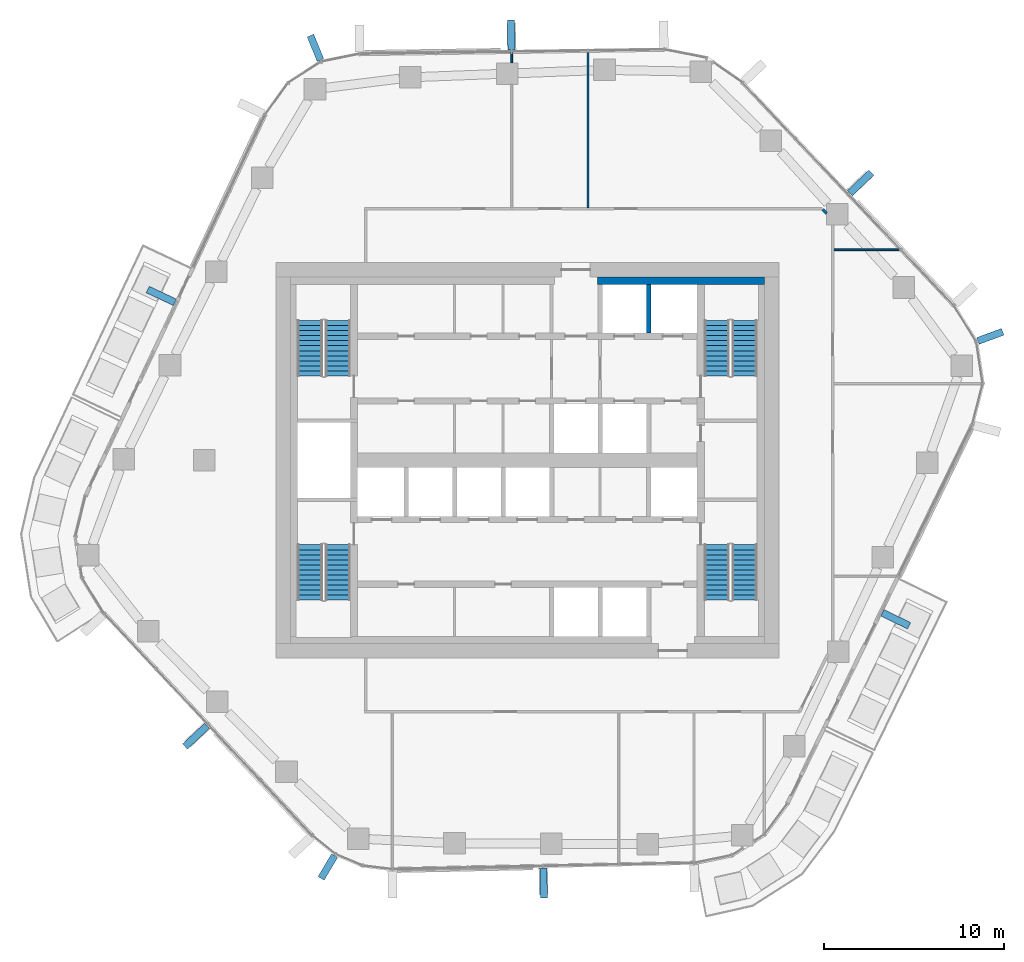
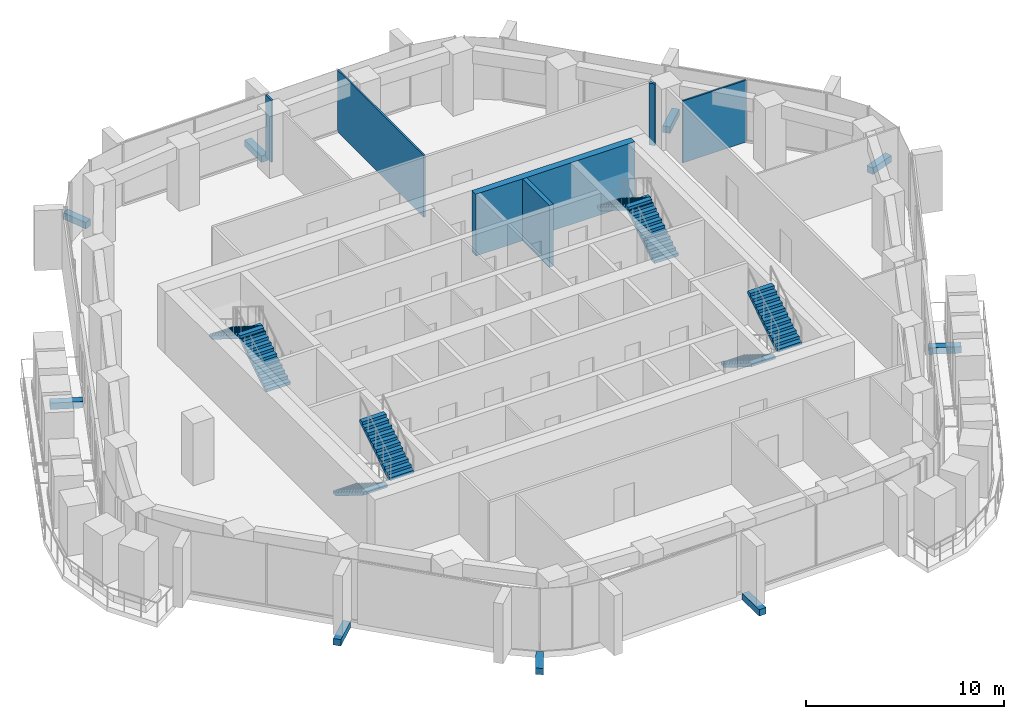
# One storey, part 14 of 18: 9 discrete accessories, 8 stair flights, 6 walls, 4 elements without a shape of their own.
"""IFC4 building model written with IfcOpenShell, lengths in metres."""

import ifcopenshell
import ifcopenshell.guid

model = None  # the IFC model being written
_history = None  # IfcOwnerHistory: only IFC2X3 demands one
_inside = {}  # id of a spatial element -> (the spatial element, [elements in it])
_under = {}  # id of a project, library or spatial element -> (it, [spatial elements below it])
_declared = {}  # id of a project -> (the project, [libraries it declares])
_typed = {}  # id of a type object -> (the type object, [elements of that type])
_made_of = {}  # id of a material, layer set ... -> (it, [elements and type objects made of it])


def new_model(schema):
    """Start an empty IFC model of exactly this schema.

    Asked for "IFC4X3", IfcOpenShell would pick the latest addendum, in which some entities
    have other attributes; the version numbers below select the first issue.
    IFC2X3 requires an IfcOwnerHistory on every rooted entity: one is made here for all.
    """
    global model, _history
    if schema == "IFC4X3":
        model = ifcopenshell.file(schema_version=(4, 3, 0, 0))
    else:
        model = ifcopenshell.file(schema=schema)
    _inside.clear()
    _under.clear()
    _declared.clear()
    _typed.clear()
    _made_of.clear()
    _history = None
    if model.schema == "IFC2X3":
        org = make("IfcOrganization", Name="unknown")
        user = make(
            "IfcPersonAndOrganization",
            ThePerson=make("IfcPerson", FamilyName="unknown"),
            TheOrganization=org,
        )
        app = make(
            "IfcApplication",
            ApplicationDeveloper=org,
            Version="unknown",
            ApplicationFullName="unknown",
            ApplicationIdentifier="unknown",
        )
        _history = make(
            "IfcOwnerHistory",
            OwningUser=user,
            OwningApplication=app,
            ChangeAction="ADDED",
            CreationDate=0,
        )
    return model


def make(cls, **values):
    """One entity of the class cls with the attributes given. An attribute that is None is left unset."""
    return model.create_entity(
        cls, **{name: value for name, value in values.items() if value is not None}
    )


def rooted(cls, **values):
    """An entity with a GlobalId (a new one), such as an element, a storey or a relation."""
    return make(cls, GlobalId=ifcopenshell.guid.new(), OwnerHistory=_history, **values)


def si_unit(unit_type, name, prefix=None):
    """IfcSIUnit, for example si_unit("LENGTHUNIT", "METRE", prefix="MILLI")."""
    return make("IfcSIUnit", UnitType=unit_type, Prefix=prefix, Name=name)


def assignment(units):
    """IfcUnitAssignment: the units of a project."""
    return None if units is None else make("IfcUnitAssignment", Units=units)


def point(xyz):
    """IfcCartesianPoint."""
    return None if xyz is None else make("IfcCartesianPoint", Coordinates=xyz)


def direction(xyz):
    """IfcDirection."""
    return None if xyz is None else make("IfcDirection", DirectionRatios=xyz)


def frame(location, z_axis=None, x_axis=None):
    """IfcAxis2Placement3D, a coordinate frame: its origin and axes. An axis left out is left unset."""
    return make(
        "IfcAxis2Placement3D",
        Location=point(location),
        Axis=direction(z_axis),
        RefDirection=direction(x_axis),
    )


def frame_2d(location, x_axis=None):
    """IfcAxis2Placement2D, a coordinate frame in the plane: its origin and x axis."""
    return make(
        "IfcAxis2Placement2D", Location=point(location), RefDirection=direction(x_axis)
    )


def origin():
    """The frame at (0, 0, 0) with its axes left unset."""
    return frame((0.0, 0.0, 0.0))


def origin_2d():
    """The frame at (0, 0) in the plane with its x axis left unset."""
    return frame_2d((0.0, 0.0))


def place(relative_to, where):
    """IfcLocalPlacement: puts the frame where relative to a parent placement (None: the world)."""
    return make(
        "IfcLocalPlacement", PlacementRelTo=relative_to, RelativePlacement=where
    )


def context(
    kind, dimensions, precision=None, world=None, true_north=None, identifier=None
):
    """IfcGeometricRepresentationContext, for example the 3D "Model" context."""
    return make(
        "IfcGeometricRepresentationContext",
        ContextIdentifier=identifier,
        ContextType=kind,
        CoordinateSpaceDimension=dimensions,
        Precision=precision,
        WorldCoordinateSystem=world,
        TrueNorth=true_north,
    )


def subcontext(parent, identifier, kind, view, scale=None):
    """IfcGeometricRepresentationSubContext, for example "Body" below "Model"."""
    return make(
        "IfcGeometricRepresentationSubContext",
        ContextIdentifier=identifier,
        ContextType=kind,
        ParentContext=parent,
        TargetScale=scale,
        TargetView=view,
    )


def project(units=None, contexts=None):
    """IfcProject with its units and contexts."""
    return rooted(
        "IfcProject",
        Name="project",
        RepresentationContexts=contexts,
        UnitsInContext=assignment(units),
    )


def spatial(cls, under=None, at=None, **own):
    """A site, building, storey or space (cls), placed at a placement, below another one or the project."""
    s = rooted(cls, ObjectPlacement=at, **own)
    if under is not None:
        _under.setdefault(under.id(), (under, []))[1].append(s)
    return s


def polyline(points):
    """IfcPolyline through the points."""
    return make("IfcPolyline", Points=[point(p) for p in points])


def profile(cls, at=None, kind="AREA", **sizes):
    """A parametric profile (cls). Its sizes go by their IFC names, for example OverallWidth=200.0."""
    return make(cls, ProfileType=kind, Position=at, **sizes)


def rectangle(**sizes):
    """IfcRectangleProfileDef."""
    return profile("IfcRectangleProfileDef", **sizes)


def outline(outer, holes=None, kind="AREA"):
    """IfcArbitraryClosedProfileDef: a profile drawn as a closed curve; with holes, ...WithVoids."""
    if holes is None:
        return make("IfcArbitraryClosedProfileDef", ProfileType=kind, OuterCurve=outer)
    return make(
        "IfcArbitraryProfileDefWithVoids",
        ProfileType=kind,
        OuterCurve=outer,
        InnerCurves=holes,
    )


def extrude(swept, where, along, depth):
    """IfcExtrudedAreaSolid: the profile swept, set in the frame where, extruded along a direction by depth."""
    return make(
        "IfcExtrudedAreaSolid",
        SweptArea=swept,
        Position=where,
        ExtrudedDirection=direction(along),
        Depth=depth,
    )


def shape(context_of_items, identifier, shape_type, items):
    """IfcShapeRepresentation: the items that make up one representation, for example the "Body"."""
    return make(
        "IfcShapeRepresentation",
        ContextOfItems=context_of_items,
        RepresentationIdentifier=identifier,
        RepresentationType=shape_type,
        Items=items,
    )


def material(Name=None, Category=None):
    """IfcMaterial."""
    return make("IfcMaterial", Name=Name, Category=Category)


def layer(
    of_material, thickness, ventilated=None, Name=None, Category=None, Priority=None
):
    """IfcMaterialLayer: one layer of a wall or slab, of a material (None: an air gap)."""
    return make(
        "IfcMaterialLayer",
        Material=of_material,
        LayerThickness=thickness,
        IsVentilated=ventilated,
        Name=Name,
        Category=Category,
        Priority=Priority,
    )


def layer_set(layers, Name=None):
    """IfcMaterialLayerSet."""
    return make("IfcMaterialLayerSet", MaterialLayers=layers, LayerSetName=Name)


def made_of(thing, what):
    """Note that an element or type object is made of a material, layer set ...; save() writes the relation."""
    if what is not None:
        _made_of.setdefault(what.id(), (what, []))[1].append(thing)
    return thing


def type_object(cls, material=None, **own):
    """A type object (cls), such as IfcWallType, which elements share."""
    return made_of(rooted(cls, **own), material)


def element(
    cls,
    number,
    at=None,
    inside=None,
    cuts=None,
    type_object=None,
    material=None,
    context=None,
    identifier="Body",
    shape_type=None,
    held_by="IfcProductDefinitionShape",
    body=None,
    shapes=None,
    **own,
):
    """One element of the class cls, such as IfcWall. Its Tag is "e" and its number.

    at: its placement. inside: the storey or other place that contains it. cuts: it is an
    opening in that element (IfcRelVoidsElement). A single representation is given by context,
    identifier, shape_type and body (its items); several are given by shapes. held_by: the class
    of the entity that holds the representations. save() writes the other relations.
    """
    e = rooted(cls, Tag="e%d" % number, ObjectPlacement=at, **own)
    if body is not None:
        shapes = [shape(context, identifier, shape_type, body)]
    if shapes is not None:
        e.Representation = make(held_by, Representations=shapes)
    if inside is not None:
        _inside.setdefault(inside.id(), (inside, []))[1].append(e)
    if cuts is not None:
        rooted(
            "IfcRelVoidsElement", RelatingBuildingElement=cuts, RelatedOpeningElement=e
        )
    if type_object is not None:
        _typed.setdefault(type_object.id(), (type_object, []))[1].append(e)
    return made_of(e, material)


def aggregate(whole, parts):
    """IfcRelAggregates: a whole, such as a stair, and the parts it consists of."""
    return rooted("IfcRelAggregates", RelatingObject=whole, RelatedObjects=parts)


def save(model, path):
    """Write the relations noted so far, then the file.

    IfcRelAggregates (storeys below a building ...), IfcRelContainedInSpatialStructure (elements
    in a storey), IfcRelDefinesByType, IfcRelAssociatesMaterial and IfcRelDeclares: one each for
    every whole, place, type object, material and project.
    """
    for whole, parts in _under.values():
        aggregate(whole, parts)
    for where, things in _inside.values():
        rooted(
            "IfcRelContainedInSpatialStructure",
            RelatedElements=things,
            RelatingStructure=where,
        )
    for kind, things in _typed.values():
        rooted("IfcRelDefinesByType", RelatedObjects=things, RelatingType=kind)
    for what, things in _made_of.values():
        rooted("IfcRelAssociatesMaterial", RelatedObjects=things, RelatingMaterial=what)
    for by, libraries in _declared.values():
        rooted("IfcRelDeclares", RelatingContext=by, RelatedDefinitions=libraries)
    model.write(path)


model = new_model("IFC4")

# Units and contexts
model_context = context("Model", 3, precision=1e-05, world=origin(), true_north=direction((0.0, 1.0)))
body_context = subcontext(model_context, "Body", "Model", "MODEL_VIEW")
ifc_project = project(units=[si_unit("LENGTHUNIT", "METRE"), si_unit("AREAUNIT", "SQUARE_METRE"), si_unit("VOLUMEUNIT", "CUBIC_METRE"), si_unit("PLANEANGLEUNIT", "RADIAN"), si_unit("MASSUNIT", "GRAM", prefix="KILO")], contexts=[model_context])

# Site, building, storey
site_placement = place(None, origin())
site = spatial("IfcSite", under=ifc_project, at=site_placement, CompositionType="ELEMENT")
building_placement = place(site_placement, origin())
building = spatial("IfcBuilding", under=site, at=building_placement, Name="Dongbaek Canopy Tower", CompositionType="ELEMENT")
storey_placement = place(building_placement, frame((0.0, 0.0, 162.800048828125)))
storey = spatial("IfcBuildingStorey", under=building, at=storey_placement, Name="L35", CompositionType="ELEMENT", Elevation=162.800048828125)

# Walls
ifc_material_1 = material(Name="Concrete C60/75", Category="concrete")
ifc_layer_1 = layer(ifc_material_1, 0.39990234375)
ifc_layer_set_1 = layer_set([ifc_layer_1], Name="Core wall lining 400 Concrete C60/75")
wall_type_1 = type_object("IfcWallType", Name="Core wall lining 400 Concrete C60/75", PredefinedType="SHEAR", material=ifc_layer_set_1)
wall_1_placement = place(storey_placement, frame((3.89990234375, 10.0, 0.0), z_axis=(0.0, 0.0, 1.0), x_axis=(1.0, 0.0, 0.0)))
element("IfcWall", 1, at=wall_1_placement, inside=storey, type_object=wall_type_1, Name="Core wall lining", PredefinedType="SHEAR", context=body_context, shape_type="SweptSolid", body=[
    extrude(rectangle(XDim=9.300048828125, YDim=0.39990234375, at=frame_2d((4.64990234375, 0.0))), origin(), (0.0, 0.0, 1.0), 3.820068359375),
])
ifc_material_2 = material(Name="Gypsum board partition, steel stud, 2 x 15 mm fire board", Category="steel")
ifc_layer_2 = layer(ifc_material_2, 0.14990234375)
ifc_layer_set_2 = layer_set([ifc_layer_2], Name="Fire-rated partition 150 gypsum board")
wall_type_2 = type_object("IfcWallType", Name="Fire-rated partition 150 gypsum board", PredefinedType="PARTITIONING", material=ifc_layer_set_2)
wall_2_placement = place(storey_placement, frame((16.453125, 13.959228515625, 0.0), z_axis=(0.0, 0.0, 1.0), x_axis=(0.687856738642, -0.725846476264, 0.0)))
element("IfcWall", 2, at=wall_2_placement, inside=storey, type_object=wall_type_2, Name="Corridor partition", PredefinedType="PARTITIONING", context=body_context, shape_type="SweptSolid", body=[
    extrude(rectangle(XDim=0.302001953125, YDim=0.14990234375, at=frame_2d((0.15087890625, 0.0))), origin(), (0.0, 0.0, 1.0), 3.820068359375),
])
ifc_material_3 = material(Name="Concrete C40/50", Category="concrete")
ifc_layer_3 = layer(ifc_material_3, 0.25)
ifc_layer_set_3 = layer_set([ifc_layer_3], Name="Lift shaft wall 250 Concrete C40/50")
wall_type_3 = type_object("IfcWallType", Name="Lift shaft wall 250 Concrete C40/50", PredefinedType="SOLIDWALL", material=ifc_layer_set_3)
wall_3_placement = place(storey_placement, frame((6.75, 7.074951171875, 0.0), z_axis=(0.0, 0.0, 1.0), x_axis=(0.0, 1.0, 0.0)))
element("IfcWall", 3, at=wall_3_placement, inside=storey, type_object=wall_type_3, Name="Lift shaft wall", PredefinedType="SOLIDWALL", context=body_context, shape_type="SweptSolid", body=[
    extrude(rectangle(XDim=2.72509765625, YDim=0.25, at=frame_2d((1.362548828125, 0.0))), origin(), (0.0, 0.0, 1.0), 3.820068359375),
])
ifc_material_4 = material(Name="Gypsum board partition, steel stud, 2 x 12.5 mm board", Category="steel")
ifc_layer_4 = layer(ifc_material_4, 0.10009765625)
ifc_layer_set_4 = layer_set([ifc_layer_4], Name="Partition 100 gypsum board")
wall_type_4 = type_object("IfcWallType", Name="Partition 100 gypsum board", PredefinedType="PARTITIONING", material=ifc_layer_set_4)
wall_4_placement = place(storey_placement, frame((17.074951171875, 11.72412109375, 0.0), z_axis=(0.0, 0.0, 1.0), x_axis=(1.0, 0.0, 0.0)))
element("IfcWall", 4, at=wall_4_placement, inside=storey, type_object=wall_type_4, Name="Partition", PredefinedType="PARTITIONING", context=body_context, shape_type="SweptSolid", body=[
    extrude(rectangle(XDim=3.701416015625, YDim=0.10009765625, at=frame_2d((1.8505859375, 0.0))), origin(), (0.0, 0.0, 1.0), 3.820068359375),
])
wall_5_placement = place(storey_placement, frame((3.375, 14.074951171875, 0.0), z_axis=(0.0, 0.0, 1.0), x_axis=(0.0, 1.0, 0.0)))
element("IfcWall", 5, at=wall_5_placement, inside=storey, type_object=wall_type_4, Name="Partition", PredefinedType="PARTITIONING", context=body_context, shape_type="SweptSolid", body=[
    extrude(rectangle(XDim=8.714599609375, YDim=0.10009765625, at=frame_2d((4.357421875, 0.0))), origin(), (0.0, 0.0, 1.0), 3.820068359375),
])
wall_6_placement = place(storey_placement, frame((-0.864990234375, 22.1298828125, 0.0), z_axis=(0.0, 0.0, 1.0), x_axis=(0.0, 1.0, 0.0)))
element("IfcWall", 6, at=wall_6_placement, inside=storey, type_object=wall_type_4, Name="Partition", PredefinedType="PARTITIONING", context=body_context, shape_type="SweptSolid", body=[
    extrude(rectangle(XDim=0.59912109375, YDim=0.10009765625, at=frame_2d((0.299560546875, 0.0))), origin(), (0.0, 0.0, 1.0), 3.820068359375),
])

# Stair, stair flights
ifc_material_5 = material(Name="Concrete C40/50", Category="concrete")
stair_type = type_object("IfcStairType", Name="Core exit stair", PredefinedType="HALF_TURN_STAIR", material=ifc_material_5)
stair_1_placement = place(storey_placement, origin())
stair_1 = element("IfcStair", 7, at=stair_1_placement, inside=storey, type_object=stair_type, Name="L35 exit stair A", PredefinedType="HALF_TURN_STAIR")
ifc_material_6 = material(Name="Concrete C40/50", Category="concrete")
ifc_layer_5 = layer(ifc_material_6, 0.14990234375)
ifc_layer_set_5 = layer_set([ifc_layer_5], Name="Core stair flight 150 waist")
stair_flight_type = type_object("IfcStairFlightType", Name="Core stair flight 150 waist", PredefinedType="STRAIGHT", material=ifc_layer_set_5)
stair_flight_1_placement = place(storey_placement, frame((12.10009765625, 4.699951171875, 0.0), z_axis=(0.0, 0.0, 1.0), x_axis=(0.0, 1.0, 0.0)))
stair_flight_1 = element("IfcStairFlight", 8, at=stair_flight_1_placement, type_object=stair_flight_type, Name="ST-A flight 1", NumberOfRisers=12, NumberOfTreads=11, PredefinedType="STRAIGHT", RiserHeight=0.175, TreadLength=0.28, context=body_context, shape_type="SweptSolid", body=[
    extrude(outline(polyline([(0.0, 0.0), (0.0, 0.175048828125), (0.280029296875, 0.175048828125), (0.280029296875, 0.35009765625), (0.56005859375, 0.35009765625), (0.56005859375, 0.52490234375), (0.840087890625, 0.52490234375), (0.840087890625, 0.699951171875), (1.1201171875, 0.699951171875), (1.1201171875, 0.875), (1.39990234375, 0.875), (1.39990234375, 1.050048828125), (1.679931640625, 1.050048828125), (1.679931640625, 1.22509765625), (1.9599609375, 1.22509765625), (1.9599609375, 1.39990234375), (2.239990234375, 1.39990234375), (2.239990234375, 1.574951171875), (2.52001953125, 1.574951171875), (2.52001953125, 1.75), (2.800048828125, 1.75), (2.800048828125, 1.925048828125), (3.080078125, 1.925048828125), (3.080078125, 2.10009765625), (3.080078125, 1.748291015625), (0.28271484375, 0.0), (0.0, 0.0)])), frame((0.0, 0.699951171875, 0.0), z_axis=(0.0, -1.0, 0.0), x_axis=(1.0, 0.0, 0.0)), (0.0, 0.0, 1.0), 1.39990234375),
])
stair_flight_2_placement = place(storey_placement, frame((10.550048828125, 7.780029296875, 2.099853515625), z_axis=(0.0, 0.0, 1.0), x_axis=(0.0, -1.0, 0.0)))
stair_flight_2 = element("IfcStairFlight", 9, at=stair_flight_2_placement, type_object=stair_flight_type, Name="ST-A flight 2", NumberOfRisers=12, NumberOfTreads=11, PredefinedType="STRAIGHT", RiserHeight=0.175, TreadLength=0.28, context=body_context, shape_type="SweptSolid", body=[
    extrude(outline(polyline([(0.0, 0.0), (0.0, 0.175048828125), (0.280029296875, 0.175048828125), (0.280029296875, 0.35009765625), (0.56005859375, 0.35009765625), (0.56005859375, 0.52490234375), (0.840087890625, 0.52490234375), (0.840087890625, 0.699951171875), (1.1201171875, 0.699951171875), (1.1201171875, 0.875), (1.39990234375, 0.875), (1.39990234375, 1.050048828125), (1.679931640625, 1.050048828125), (1.679931640625, 1.22509765625), (1.9599609375, 1.22509765625), (1.9599609375, 1.39990234375), (2.239990234375, 1.39990234375), (2.239990234375, 1.574951171875), (2.52001953125, 1.574951171875), (2.52001953125, 1.75), (2.800048828125, 1.75), (2.800048828125, 1.925048828125), (3.080078125, 1.925048828125), (3.080078125, 2.10009765625), (3.080078125, 1.748291015625), (0.28271484375, 0.0), (0.0, 0.0)])), frame((0.0, 0.699951171875, 0.0), z_axis=(0.0, -1.0, 0.0), x_axis=(1.0, 0.0, 0.0)), (0.0, 0.0, 1.0), 1.39990234375),
])
aggregate(stair_1, [stair_flight_1, stair_flight_2])

stair_2_placement = place(storey_placement, origin())
stair_2 = element("IfcStair", 10, at=stair_2_placement, inside=storey, type_object=stair_type, Name="L35 exit stair C", PredefinedType="HALF_TURN_STAIR")
stair_flight_3_placement = place(storey_placement, frame((-10.550048828125, 4.699951171875, 0.0), z_axis=(0.0, 0.0, 1.0), x_axis=(0.0, 1.0, 0.0)))
stair_flight_3 = element("IfcStairFlight", 11, at=stair_flight_3_placement, type_object=stair_flight_type, Name="ST-C flight 1", NumberOfRisers=12, NumberOfTreads=11, PredefinedType="STRAIGHT", RiserHeight=0.175, TreadLength=0.28, context=body_context, shape_type="SweptSolid", body=[
    extrude(outline(polyline([(0.0, 0.0), (0.0, 0.175048828125), (0.280029296875, 0.175048828125), (0.280029296875, 0.35009765625), (0.56005859375, 0.35009765625), (0.56005859375, 0.52490234375), (0.840087890625, 0.52490234375), (0.840087890625, 0.699951171875), (1.1201171875, 0.699951171875), (1.1201171875, 0.875), (1.39990234375, 0.875), (1.39990234375, 1.050048828125), (1.679931640625, 1.050048828125), (1.679931640625, 1.22509765625), (1.9599609375, 1.22509765625), (1.9599609375, 1.39990234375), (2.239990234375, 1.39990234375), (2.239990234375, 1.574951171875), (2.52001953125, 1.574951171875), (2.52001953125, 1.75), (2.800048828125, 1.75), (2.800048828125, 1.925048828125), (3.080078125, 1.925048828125), (3.080078125, 2.10009765625), (3.080078125, 1.748291015625), (0.28271484375, 0.0), (0.0, 0.0)])), frame((0.0, 0.699951171875, 0.0), z_axis=(0.0, -1.0, 0.0), x_axis=(1.0, 0.0, 0.0)), (0.0, 0.0, 1.0), 1.39990234375),
])
stair_flight_4_placement = place(storey_placement, frame((-12.10009765625, 7.780029296875, 2.099853515625), z_axis=(0.0, 0.0, 1.0), x_axis=(0.0, -1.0, 0.0)))
stair_flight_4 = element("IfcStairFlight", 12, at=stair_flight_4_placement, type_object=stair_flight_type, Name="ST-C flight 2", NumberOfRisers=12, NumberOfTreads=11, PredefinedType="STRAIGHT", RiserHeight=0.175, TreadLength=0.28, context=body_context, shape_type="SweptSolid", body=[
    extrude(outline(polyline([(0.0, 0.0), (0.0, 0.175048828125), (0.280029296875, 0.175048828125), (0.280029296875, 0.35009765625), (0.56005859375, 0.35009765625), (0.56005859375, 0.52490234375), (0.840087890625, 0.52490234375), (0.840087890625, 0.699951171875), (1.1201171875, 0.699951171875), (1.1201171875, 0.875), (1.39990234375, 0.875), (1.39990234375, 1.050048828125), (1.679931640625, 1.050048828125), (1.679931640625, 1.22509765625), (1.9599609375, 1.22509765625), (1.9599609375, 1.39990234375), (2.239990234375, 1.39990234375), (2.239990234375, 1.574951171875), (2.52001953125, 1.574951171875), (2.52001953125, 1.75), (2.800048828125, 1.75), (2.800048828125, 1.925048828125), (3.080078125, 1.925048828125), (3.080078125, 2.10009765625), (3.080078125, 1.748291015625), (0.28271484375, 0.0), (0.0, 0.0)])), frame((0.0, 0.699951171875, 0.0), z_axis=(0.0, -1.0, 0.0), x_axis=(1.0, 0.0, 0.0)), (0.0, 0.0, 1.0), 1.39990234375),
])
aggregate(stair_2, [stair_flight_3, stair_flight_4])

stair_3_placement = place(storey_placement, origin())
stair_3 = element("IfcStair", 13, at=stair_3_placement, inside=storey, type_object=stair_type, Name="L35 exit stair B", PredefinedType="HALF_TURN_STAIR")
stair_flight_5_placement = place(storey_placement, frame((10.550048828125, -4.699951171875, 0.0), z_axis=(0.0, 0.0, 1.0), x_axis=(0.0, -1.0, 0.0)))
stair_flight_5 = element("IfcStairFlight", 14, at=stair_flight_5_placement, type_object=stair_flight_type, Name="ST-B flight 1", NumberOfRisers=12, NumberOfTreads=11, PredefinedType="STRAIGHT", RiserHeight=0.175, TreadLength=0.28, context=body_context, shape_type="SweptSolid", body=[
    extrude(outline(polyline([(0.0, 0.0), (0.0, 0.175048828125), (0.280029296875, 0.175048828125), (0.280029296875, 0.35009765625), (0.56005859375, 0.35009765625), (0.56005859375, 0.52490234375), (0.840087890625, 0.52490234375), (0.840087890625, 0.699951171875), (1.1201171875, 0.699951171875), (1.1201171875, 0.875), (1.39990234375, 0.875), (1.39990234375, 1.050048828125), (1.679931640625, 1.050048828125), (1.679931640625, 1.22509765625), (1.9599609375, 1.22509765625), (1.9599609375, 1.39990234375), (2.239990234375, 1.39990234375), (2.239990234375, 1.574951171875), (2.52001953125, 1.574951171875), (2.52001953125, 1.75), (2.800048828125, 1.75), (2.800048828125, 1.925048828125), (3.080078125, 1.925048828125), (3.080078125, 2.10009765625), (3.080078125, 1.748291015625), (0.28271484375, 0.0), (0.0, 0.0)])), frame((0.0, 0.699951171875, 0.0), z_axis=(0.0, -1.0, 0.0), x_axis=(1.0, 0.0, 0.0)), (0.0, 0.0, 1.0), 1.39990234375),
])
stair_flight_6_placement = place(storey_placement, frame((12.10009765625, -7.780029296875, 2.099853515625), z_axis=(0.0, 0.0, 1.0), x_axis=(0.0, 1.0, 0.0)))
stair_flight_6 = element("IfcStairFlight", 15, at=stair_flight_6_placement, type_object=stair_flight_type, Name="ST-B flight 2", NumberOfRisers=12, NumberOfTreads=11, PredefinedType="STRAIGHT", RiserHeight=0.175, TreadLength=0.28, context=body_context, shape_type="SweptSolid", body=[
    extrude(outline(polyline([(0.0, 0.0), (0.0, 0.175048828125), (0.280029296875, 0.175048828125), (0.280029296875, 0.35009765625), (0.56005859375, 0.35009765625), (0.56005859375, 0.52490234375), (0.840087890625, 0.52490234375), (0.840087890625, 0.699951171875), (1.1201171875, 0.699951171875), (1.1201171875, 0.875), (1.39990234375, 0.875), (1.39990234375, 1.050048828125), (1.679931640625, 1.050048828125), (1.679931640625, 1.22509765625), (1.9599609375, 1.22509765625), (1.9599609375, 1.39990234375), (2.239990234375, 1.39990234375), (2.239990234375, 1.574951171875), (2.52001953125, 1.574951171875), (2.52001953125, 1.75), (2.800048828125, 1.75), (2.800048828125, 1.925048828125), (3.080078125, 1.925048828125), (3.080078125, 2.10009765625), (3.080078125, 1.748291015625), (0.28271484375, 0.0), (0.0, 0.0)])), frame((0.0, 0.699951171875, 0.0), z_axis=(0.0, -1.0, 0.0), x_axis=(1.0, 0.0, 0.0)), (0.0, 0.0, 1.0), 1.39990234375),
])
aggregate(stair_3, [stair_flight_5, stair_flight_6])

stair_4_placement = place(storey_placement, origin())
stair_4 = element("IfcStair", 16, at=stair_4_placement, inside=storey, type_object=stair_type, Name="L35 exit stair D", PredefinedType="HALF_TURN_STAIR")
stair_flight_7_placement = place(storey_placement, frame((-12.10009765625, -4.699951171875, 0.0), z_axis=(0.0, 0.0, 1.0), x_axis=(0.0, -1.0, 0.0)))
stair_flight_7 = element("IfcStairFlight", 17, at=stair_flight_7_placement, type_object=stair_flight_type, Name="ST-D flight 1", NumberOfRisers=12, NumberOfTreads=11, PredefinedType="STRAIGHT", RiserHeight=0.175, TreadLength=0.28, context=body_context, shape_type="SweptSolid", body=[
    extrude(outline(polyline([(0.0, 0.0), (0.0, 0.175048828125), (0.280029296875, 0.175048828125), (0.280029296875, 0.35009765625), (0.56005859375, 0.35009765625), (0.56005859375, 0.52490234375), (0.840087890625, 0.52490234375), (0.840087890625, 0.699951171875), (1.1201171875, 0.699951171875), (1.1201171875, 0.875), (1.39990234375, 0.875), (1.39990234375, 1.050048828125), (1.679931640625, 1.050048828125), (1.679931640625, 1.22509765625), (1.9599609375, 1.22509765625), (1.9599609375, 1.39990234375), (2.239990234375, 1.39990234375), (2.239990234375, 1.574951171875), (2.52001953125, 1.574951171875), (2.52001953125, 1.75), (2.800048828125, 1.75), (2.800048828125, 1.925048828125), (3.080078125, 1.925048828125), (3.080078125, 2.10009765625), (3.080078125, 1.748291015625), (0.28271484375, 0.0), (0.0, 0.0)])), frame((0.0, 0.699951171875, 0.0), z_axis=(0.0, -1.0, 0.0), x_axis=(1.0, 0.0, 0.0)), (0.0, 0.0, 1.0), 1.39990234375),
])
stair_flight_8_placement = place(storey_placement, frame((-10.550048828125, -7.780029296875, 2.099853515625), z_axis=(0.0, 0.0, 1.0), x_axis=(0.0, 1.0, 0.0)))
stair_flight_8 = element("IfcStairFlight", 18, at=stair_flight_8_placement, type_object=stair_flight_type, Name="ST-D flight 2", NumberOfRisers=12, NumberOfTreads=11, PredefinedType="STRAIGHT", RiserHeight=0.175, TreadLength=0.28, context=body_context, shape_type="SweptSolid", body=[
    extrude(outline(polyline([(0.0, 0.0), (0.0, 0.175048828125), (0.280029296875, 0.175048828125), (0.280029296875, 0.35009765625), (0.56005859375, 0.35009765625), (0.56005859375, 0.52490234375), (0.840087890625, 0.52490234375), (0.840087890625, 0.699951171875), (1.1201171875, 0.699951171875), (1.1201171875, 0.875), (1.39990234375, 0.875), (1.39990234375, 1.050048828125), (1.679931640625, 1.050048828125), (1.679931640625, 1.22509765625), (1.9599609375, 1.22509765625), (1.9599609375, 1.39990234375), (2.239990234375, 1.39990234375), (2.239990234375, 1.574951171875), (2.52001953125, 1.574951171875), (2.52001953125, 1.75), (2.800048828125, 1.75), (2.800048828125, 1.925048828125), (3.080078125, 1.925048828125), (3.080078125, 2.10009765625), (3.080078125, 1.748291015625), (0.28271484375, 0.0), (0.0, 0.0)])), frame((0.0, 0.699951171875, 0.0), z_axis=(0.0, -1.0, 0.0), x_axis=(1.0, 0.0, 0.0)), (0.0, 0.0, 1.0), 1.39990234375),
])
aggregate(stair_4, [stair_flight_7, stair_flight_8])

# Discrete accessories
ifc_material_7 = material(Name="Galvanised steel S355 bracket", Category="steel")
discrete_accessory_type = type_object("IfcDiscreteAccessoryType", Name="Crease fin bracket BR3 400", PredefinedType="BRACKET", material=ifc_material_7)
discrete_accessory_1_placement = place(storey_placement, frame((20.5126953125, -8.851318359375, -0.389892578125), z_axis=(0.0, 0.0, 1.0), x_axis=(0.89865092436, -0.438664468754, 0.0)))
element("IfcDiscreteAccessory", 19, at=discrete_accessory_1_placement, inside=storey, type_object=discrete_accessory_type, Name="Crease fin bracket L35 F5", PredefinedType="BRACKET", context=body_context, shape_type="SweptSolid", body=[
    extrude(rectangle(XDim=1.654541015625, YDim=0.39990234375, at=origin_2d()), origin(), (0.0, 0.0, 1.0), 0.39990234375),
])
discrete_accessory_2_placement = place(storey_placement, frame((18.55615234375, 15.444580078125, -0.389892578125), z_axis=(0.0, 0.0, 1.0), x_axis=(0.725669849867, 0.688043072048, 0.0)))
element("IfcDiscreteAccessory", 20, at=discrete_accessory_2_placement, inside=storey, type_object=discrete_accessory_type, Name="Crease fin bracket L35 F0", PredefinedType="BRACKET", context=body_context, shape_type="SweptSolid", body=[
    extrude(rectangle(XDim=1.656982421875, YDim=0.39990234375, at=origin_2d()), origin(), (0.0, 0.0, 1.0), 0.39990234375),
])
discrete_accessory_3_placement = place(storey_placement, frame((-0.898681640625, 23.680419921875, -0.389892578125), z_axis=(0.0, 0.0, 1.0), x_axis=(-0.014278053439, 0.999898063399, 0.0)))
element("IfcDiscreteAccessory", 21, at=discrete_accessory_3_placement, inside=storey, type_object=discrete_accessory_type, Name="Crease fin bracket L35 F1", PredefinedType="BRACKET", context=body_context, shape_type="SweptSolid", body=[
    extrude(rectangle(XDim=1.66357421875, YDim=0.39990234375, at=origin_2d()), origin(), (0.0, 0.0, 1.0), 0.39990234375),
])
discrete_accessory_4_placement = place(storey_placement, frame((-20.381591796875, 9.153076171875, -0.389892578125), z_axis=(0.0, 0.0, 1.0), x_axis=(-0.904625564373, 0.426207212847, 0.0)))
element("IfcDiscreteAccessory", 22, at=discrete_accessory_4_placement, inside=storey, type_object=discrete_accessory_type, Name="Crease fin bracket L35 F2", PredefinedType="BRACKET", context=body_context, shape_type="SweptSolid", body=[
    extrude(rectangle(XDim=1.664306640625, YDim=0.39990234375, at=origin_2d()), origin(), (0.0, 0.0, 1.0), 0.39990234375),
])
discrete_accessory_5_placement = place(storey_placement, frame((-18.443603515625, -15.358154296875, -0.389892578125), z_axis=(0.0, 0.0, 1.0), x_axis=(-0.729649279829, -0.683821561846, 0.0)))
element("IfcDiscreteAccessory", 23, at=discrete_accessory_5_placement, inside=storey, type_object=discrete_accessory_type, Name="Crease fin bracket L35 F3", PredefinedType="BRACKET", context=body_context, shape_type="SweptSolid", body=[
    extrude(rectangle(XDim=1.684814453125, YDim=0.39990234375, at=origin_2d()), origin(), (0.0, 0.0, 1.0), 0.39990234375),
])
discrete_accessory_6_placement = place(storey_placement, frame((0.90673828125, -23.530517578125, -0.389892578125), z_axis=(0.0, 0.0, 1.0), x_axis=(0.020514906096, -0.999789547169, 0.0)))
element("IfcDiscreteAccessory", 24, at=discrete_accessory_6_placement, inside=storey, type_object=discrete_accessory_type, Name="Crease fin bracket L35 F4", PredefinedType="BRACKET", context=body_context, shape_type="SweptSolid", body=[
    extrude(rectangle(XDim=1.68017578125, YDim=0.39990234375, at=origin_2d()), origin(), (0.0, 0.0, 1.0), 0.39990234375),
])
for number, where, z_axis, x_axis, name in (
    (25, (25.77978515625, 6.90087890625, -0.389892578125), (0.0, 0.0, 1.0), (0.937824127945, 0.347110796497, 0.0), "Corner fin bracket L35 K0"),
    (26, (-11.797607421875, 22.967041015625, -0.389892578125), (0.0, 0.0, 1.0), (-0.376811193994, 0.926290086356, 0.0), "Corner fin bracket L35 K2"),
    (27, (-11.107421875, -22.64697265625, -0.389892578125), (0.0, 0.0, 1.0), (-0.512733815426, -0.858547630897, 0.0), "Corner fin bracket L35 K4"),
):
    element("IfcDiscreteAccessory", number, at=place(storey_placement, frame(where, z_axis=z_axis, x_axis=x_axis)), inside=storey, type_object=discrete_accessory_type, Name=name, PredefinedType="BRACKET", context=body_context, shape_type="SweptSolid", body=[
        extrude(rectangle(XDim=1.469970703125, YDim=0.39990234375, at=origin_2d()), origin(), (0.0, 0.0, 1.0), 0.39990234375),
    ])

save(model, "model.ifc")
